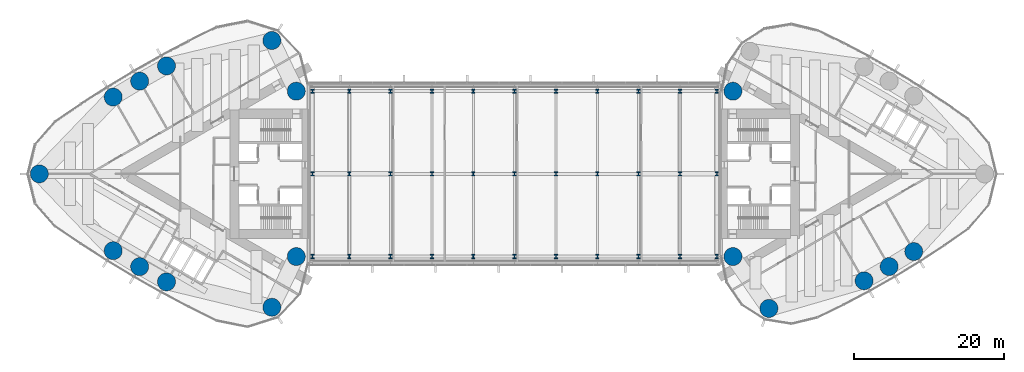
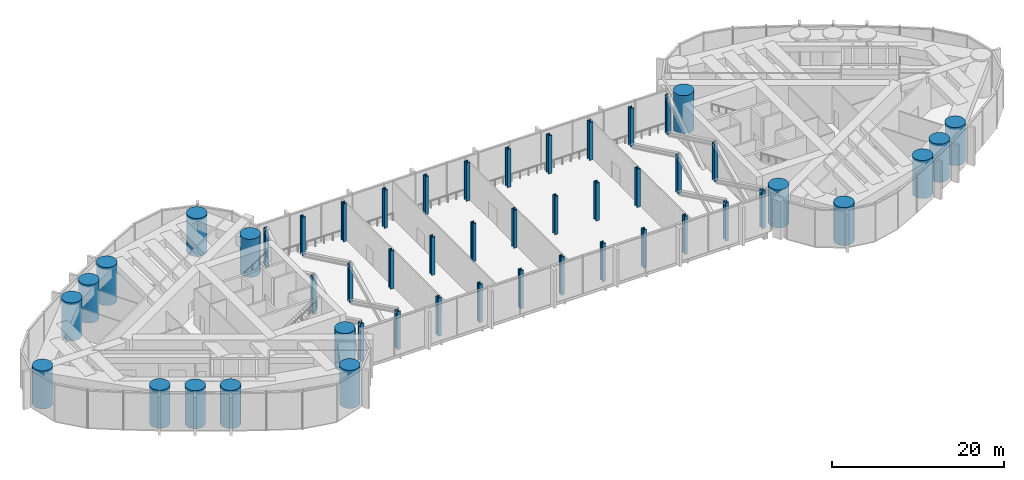
# One storey, part 1 of 21: 50 columns.
"""IFC4 building model written with IfcOpenShell, lengths in metres."""

from ifc_helpers import new_model, si_unit, direction, frame, origin, origin_2d, place, context, subcontext, project, spatial, circle, i_section, extrude, material, material_profile, profile_set, type_object, element, save


model = new_model("IFC4")

# Units and contexts
model_context = context("Model", 3, precision=1e-05, world=origin(), true_north=direction((0.0, 1.0)))
body_context = subcontext(model_context, "Body", "Model", "MODEL_VIEW")
ifc_project = project(units=[si_unit("LENGTHUNIT", "METRE"), si_unit("AREAUNIT", "SQUARE_METRE"), si_unit("VOLUMEUNIT", "CUBIC_METRE"), si_unit("PLANEANGLEUNIT", "RADIAN"), si_unit("MASSUNIT", "GRAM", prefix="KILO")], contexts=[model_context])

# Site, building, storey
site_placement = place(None, origin())
site = spatial("IfcSite", under=ifc_project, at=site_placement, CompositionType="ELEMENT")
building_placement = place(site_placement, origin())
building = spatial("IfcBuilding", under=site, at=building_placement, Name="Lancet Gate Hotel", CompositionType="ELEMENT")
storey_placement = place(building_placement, frame((0.0, 0.0, 251.89990234375)))
storey = spatial("IfcBuildingStorey", under=building, at=storey_placement, Name="L67", CompositionType="ELEMENT", Elevation=251.89990234375)

# Columns
ifc_material_1 = material(Name="Steel S460", Category="steel")
ifc_material_profile_1 = material_profile(ifc_material_1, i_section(OverallWidth=0.447998046875, OverallDepth=0.550048828125, WebThickness=0.072021484375, FlangeThickness=0.114990234375, FilletRadius=0.02001953125, at=origin_2d()), Name="HD 400x990")
ifc_profile_set_1 = profile_set([ifc_material_profile_1], Name="Steel S460")
column_type_1 = type_object("IfcColumnType", Name="Block column HD 400x990", PredefinedType="COLUMN", material=ifc_profile_set_1)
for number, where, z_axis, x_axis, name in (
    (1, (-26.89990234375, -11.0, 0.0), (0.0, 0.0, 1.0), (1.0, 0.0, 0.0), "Block column S0 L67"),
    (2, (-22.0, -11.0, 0.0), (0.0, 0.0, 1.0), (1.0, 0.0, 0.0), "Block column S1 L67"),
    (3, (-16.5, -11.0, 0.0), (0.0, 0.0, 1.0), (1.0, 0.0, 0.0), "Block column S2 L67"),
    (4, (-11.0, -11.0, 0.0), (0.0, 0.0, 1.0), (1.0, 0.0, 0.0), "Block column S3 L67"),
    (5, (-5.5, -11.0, 0.0), (0.0, 0.0, 1.0), (1.0, 0.0, 0.0), "Block column S4 L67"),
    (6, (0.0, -11.0, 0.0), (0.0, 0.0, 1.0), (1.0, 0.0, 0.0), "Block column S5 L67"),
    (7, (5.5, -11.0, 0.0), (0.0, 0.0, 1.0), (1.0, 0.0, 0.0), "Block column S6 L67"),
    (8, (11.0, -11.0, 0.0), (0.0, 0.0, 1.0), (1.0, 0.0, 0.0), "Block column S7 L67"),
    (9, (16.5, -11.0, 0.0), (0.0, 0.0, 1.0), (1.0, 0.0, 0.0), "Block column S8 L67"),
    (10, (22.0, -11.0, 0.0), (0.0, 0.0, 1.0), (1.0, 0.0, 0.0), "Block column S9 L67"),
    (11, (26.89990234375, -11.0, 0.0), (0.0, 0.0, 1.0), (1.0, 0.0, 0.0), "Block column S10 L67"),
    (12, (-26.89990234375, 0.0, 0.0), (0.0, 0.0, 1.0), (1.0, 0.0, 0.0), "Block column M0 L67"),
    (13, (-22.0, 0.0, 0.0), (0.0, 0.0, 1.0), (1.0, 0.0, 0.0), "Block column M1 L67"),
    (14, (-16.5, 0.0, 0.0), (0.0, 0.0, 1.0), (1.0, 0.0, 0.0), "Block column M2 L67"),
    (15, (-11.0, 0.0, 0.0), (0.0, 0.0, 1.0), (1.0, 0.0, 0.0), "Block column M3 L67"),
    (16, (-5.5, 0.0, 0.0), (0.0, 0.0, 1.0), (1.0, 0.0, 0.0), "Block column M4 L67"),
    (17, (0.0, 0.0, 0.0), (0.0, 0.0, 1.0), (1.0, 0.0, 0.0), "Block column M5 L67"),
    (18, (5.5, 0.0, 0.0), (0.0, 0.0, 1.0), (1.0, 0.0, 0.0), "Block column M6 L67"),
    (19, (11.0, 0.0, 0.0), (0.0, 0.0, 1.0), (1.0, 0.0, 0.0), "Block column M7 L67"),
    (20, (16.5, 0.0, 0.0), (0.0, 0.0, 1.0), (1.0, 0.0, 0.0), "Block column M8 L67"),
    (21, (22.0, 0.0, 0.0), (0.0, 0.0, 1.0), (1.0, 0.0, 0.0), "Block column M9 L67"),
    (22, (26.89990234375, 0.0, 0.0), (0.0, 0.0, 1.0), (1.0, 0.0, 0.0), "Block column M10 L67"),
    (23, (-26.89990234375, 11.0, 0.0), (0.0, 0.0, 1.0), (1.0, 0.0, 0.0), "Block column N0 L67"),
    (24, (-22.0, 11.0, 0.0), (0.0, 0.0, 1.0), (1.0, 0.0, 0.0), "Block column N1 L67"),
    (25, (-16.5, 11.0, 0.0), (0.0, 0.0, 1.0), (1.0, 0.0, 0.0), "Block column N2 L67"),
    (26, (-11.0, 11.0, 0.0), (0.0, 0.0, 1.0), (1.0, 0.0, 0.0), "Block column N3 L67"),
    (27, (-5.5, 11.0, 0.0), (0.0, 0.0, 1.0), (1.0, 0.0, 0.0), "Block column N4 L67"),
    (28, (0.0, 11.0, 0.0), (0.0, 0.0, 1.0), (1.0, 0.0, 0.0), "Block column N5 L67"),
    (29, (5.5, 11.0, 0.0), (0.0, 0.0, 1.0), (1.0, 0.0, 0.0), "Block column N6 L67"),
    (30, (11.0, 11.0, 0.0), (0.0, 0.0, 1.0), (1.0, 0.0, 0.0), "Block column N7 L67"),
    (31, (16.5, 11.0, 0.0), (0.0, 0.0, 1.0), (1.0, 0.0, 0.0), "Block column N8 L67"),
    (32, (22.0, 11.0, 0.0), (0.0, 0.0, 1.0), (1.0, 0.0, 0.0), "Block column N9 L67"),
    (33, (26.89990234375, 11.0, 0.0), (0.0, 0.0, 1.0), (1.0, 0.0, 0.0), "Block column N10 L67"),
):
    element("IfcColumn", number, at=place(storey_placement, frame(where, z_axis=z_axis, x_axis=x_axis)), inside=storey, type_object=column_type_1, Name=name, PredefinedType="COLUMN", context=body_context, shape_type="SweptSolid", body=[
        extrude(i_section(OverallWidth=0.447998046875, OverallDepth=0.550048828125, WebThickness=0.072021484375, FlangeThickness=0.114990234375, FilletRadius=0.02001953125, at=origin_2d()), origin(), (0.0, 0.0, 1.0), 5.400146484375),
    ])
ifc_material_2 = material(Name="Concrete C50/60", Category="concrete")
ifc_material_profile_2 = material_profile(ifc_material_2, circle(Radius=1.199951171875, at=origin_2d()), Name="RC D2400")
ifc_profile_set_2 = profile_set([ifc_material_profile_2], Name="Concrete C50/60")
column_type_2 = type_object("IfcColumnType", Name="Perimeter column RC D2400", PredefinedType="COLUMN", material=ifc_profile_set_2)
for number, where, z_axis, x_axis, name in (
    (34, (-63.234375, 0.0, 0.0), (0.0, 0.0, 1.0), (1.0, 0.0, 0.0), "T1 column CA L67"),
    (35, (-32.301025390625, -17.745361328125, 0.0), (0.0, 0.0, 1.0), (1.0, 0.0, 0.0), "T1 column CN L67"),
    (36, (-32.301025390625, 17.745361328125, 0.0), (0.0, 0.0, 1.0), (1.0, 0.0, 0.0), "T1 column CS L67"),
    (37, (-29.050048828125, -11.0, 0.0), (0.0, 0.0, 1.0), (1.0, 0.0, 0.0), "T1 column IN L67"),
    (38, (-29.050048828125, 11.0, 0.0), (0.0, 0.0, 1.0), (1.0, 0.0, 0.0), "T1 column IS L67"),
    (39, (-53.40771484375, -10.218994140625, 0.0), (0.0, 0.0, 1.0), (1.0, 0.0, 0.0), "T1 column ON1 L67"),
    (40, (-49.89013671875, -12.340087890625, 0.0), (0.0, 0.0, 1.0), (1.0, 0.0, 0.0), "T1 column ON2 L67"),
    (41, (-46.316650390625, -14.365478515625, 0.0), (0.0, 0.0, 1.0), (1.0, 0.0, 0.0), "T1 column ON3 L67"),
    (42, (-46.316650390625, 14.365478515625, 0.0), (0.0, 0.0, 1.0), (1.0, 0.0, 0.0), "T1 column OS1 L67"),
    (43, (-49.89013671875, 12.340087890625, 0.0), (0.0, 0.0, 1.0), (1.0, 0.0, 0.0), "T1 column OS2 L67"),
    (44, (-53.40771484375, 10.218994140625, 0.0), (0.0, 0.0, 1.0), (1.0, 0.0, 0.0), "T1 column OS3 L67"),
    (45, (33.837158203125, -17.906005859375, 0.0), (0.0, 0.0, 1.0), (1.0, 0.0, 0.0), "T2 column CS L67"),
    (46, (29.050048828125, 11.0, 0.0), (0.0, 0.0, 1.0), (1.0, 0.0, 0.0), "T2 column IN L67"),
    (47, (29.050048828125, -11.0, 0.0), (0.0, 0.0, 1.0), (1.0, 0.0, 0.0), "T2 column IS L67"),
    (48, (46.499267578125, -14.2255859375, 0.0), (0.0, 0.0, 1.0), (1.0, 0.0, 0.0), "T2 column OS1 L67"),
    (49, (49.833984375, -12.331787109375, 0.0), (0.0, 0.0, 1.0), (1.0, 0.0, 0.0), "T2 column OS2 L67"),
    (50, (53.107666015625, -10.333984375, 0.0), (0.0, 0.0, 1.0), (1.0, 0.0, 0.0), "T2 column OS3 L67"),
):
    element("IfcColumn", number, at=place(storey_placement, frame(where, z_axis=z_axis, x_axis=x_axis)), inside=storey, type_object=column_type_2, Name=name, PredefinedType="COLUMN", context=body_context, shape_type="SweptSolid", body=[
        extrude(circle(Radius=1.199951171875, at=origin_2d()), origin(), (0.0, 0.0, 1.0), 5.400146484375),
    ])

save(model, "model.ifc")
